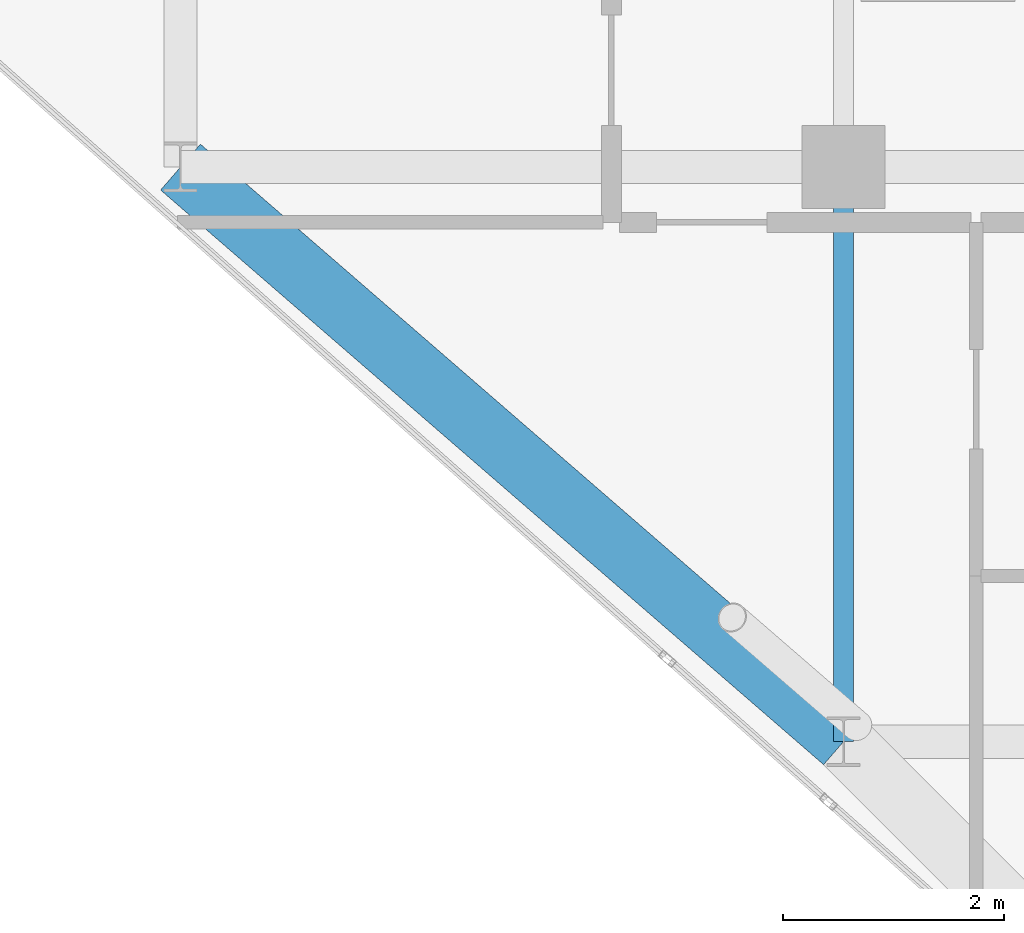
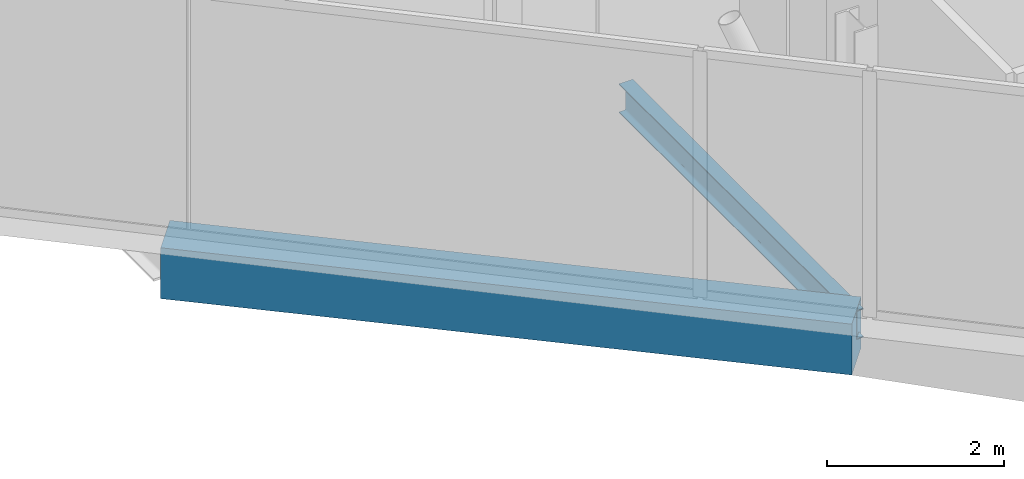
# One storey, part 5 of 29: 2 beams.
"""IFC4 building model written with IfcOpenShell, lengths in metres."""

from ifc_helpers import new_model, si_unit, direction, frame, origin, origin_2d, place, context, subcontext, project, spatial, rectangle, i_section, extrude, material, material_profile, profile_set, type_object, element, save


model = new_model("IFC4")

# Units and contexts
model_context = context("Model", 3, precision=1e-05, world=origin(), true_north=direction((0.0, 1.0)))
body_context = subcontext(model_context, "Body", "Model", "MODEL_VIEW")
ifc_project = project(units=[si_unit("LENGTHUNIT", "METRE"), si_unit("AREAUNIT", "SQUARE_METRE"), si_unit("VOLUMEUNIT", "CUBIC_METRE"), si_unit("PLANEANGLEUNIT", "RADIAN"), si_unit("MASSUNIT", "GRAM", prefix="KILO")], contexts=[model_context])

# Site, building, storey
site_placement = place(None, origin())
site = spatial("IfcSite", under=ifc_project, at=site_placement, CompositionType="ELEMENT")
building_placement = place(site_placement, origin())
building = spatial("IfcBuilding", under=site, at=building_placement, Name="Keshet Zoharim Tower", CompositionType="ELEMENT")
storey_placement = place(building_placement, frame((0.0, 0.0, 230.199951171875)))
storey = spatial("IfcBuildingStorey", under=building, at=storey_placement, Name="L57", CompositionType="ELEMENT", Elevation=230.199951171875)

# Beams
ifc_material_1 = material(Name="Steel S355", Category="steel")
ifc_material_profile_1 = material_profile(ifc_material_1, i_section(OverallWidth=0.179931640625, OverallDepth=0.39990234375, WebThickness=0.008544921875, FlangeThickness=0.013427734375, FilletRadius=0.02099609375, at=origin_2d()), Name="IPE400")
ifc_profile_set_1 = profile_set([ifc_material_profile_1], Name="Steel S355")
beam_type_1 = type_object("IfcBeamType", Name="BM-PRI-IP400", PredefinedType="BEAM", material=ifc_profile_set_1)
beam_1_placement = place(storey_placement, frame((15.0, 12.699951171875, -0.510009765625), z_axis=(0.0, 1.0, 0.0), x_axis=(-1.0, 0.0, 0.0)))
element("IfcBeam", 1, at=beam_1_placement, inside=storey, type_object=beam_type_1, Name="L57 Primary Girder Y-002", PredefinedType="BEAM", context=body_context, shape_type="SweptSolid", body=[
    extrude(i_section(OverallWidth=0.179931640625, OverallDepth=0.39990234375, WebThickness=0.008544921875, FlangeThickness=0.013427734375, FilletRadius=0.02099609375, at=origin_2d()), origin(), (0.0, 0.0, 1.0), 5.199951171875),
])
ifc_material_2 = material(Name="Concrete C50/60", Category="concrete")
ifc_material_profile_2 = material_profile(ifc_material_2, rectangle(XDim=0.550048828125, YDim=0.699951171875, at=origin_2d()), Name="RC700x550")
ifc_profile_set_2 = profile_set([ifc_material_profile_2], Name="Concrete C50/60")
beam_type_2 = type_object("IfcBeamType", Name="BM-SPN-700", PredefinedType="SPANDREL", material=ifc_profile_set_2)
beam_2_placement = place(storey_placement, frame((9.0, 17.89990234375, -0.659912109375), z_axis=(0.755692126483, -0.654927026447, 0.0), x_axis=(0.654927026447, 0.755692126483, 0.0)))
element("IfcBeam", 2, at=beam_2_placement, inside=storey, type_object=beam_type_2, Name="L57 Perimeter Spandrel Beam 02", PredefinedType="SPANDREL", context=body_context, shape_type="SweptSolid", body=[
    extrude(rectangle(XDim=0.550048828125, YDim=0.699951171875, at=origin_2d()), origin(), (0.0, 0.0, 1.0), 7.939697265625),
])

save(model, "model.ifc")
